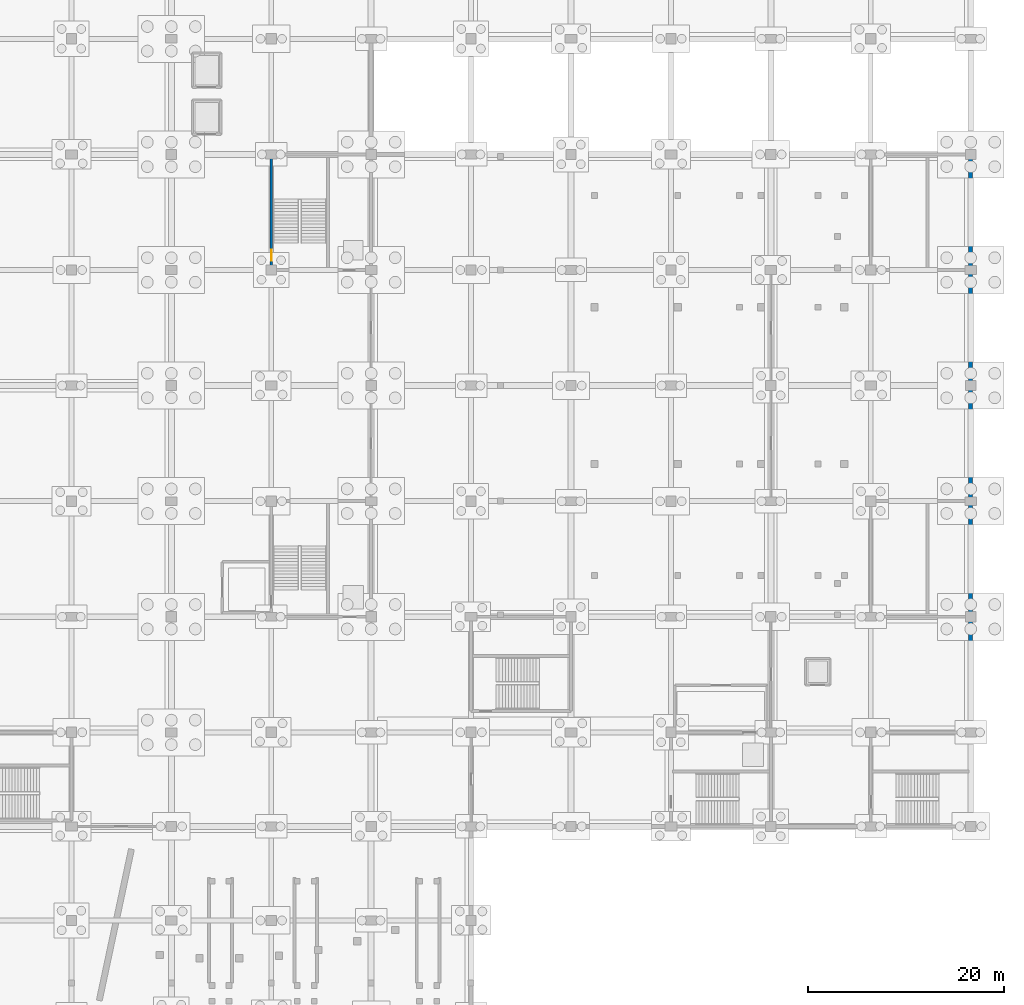
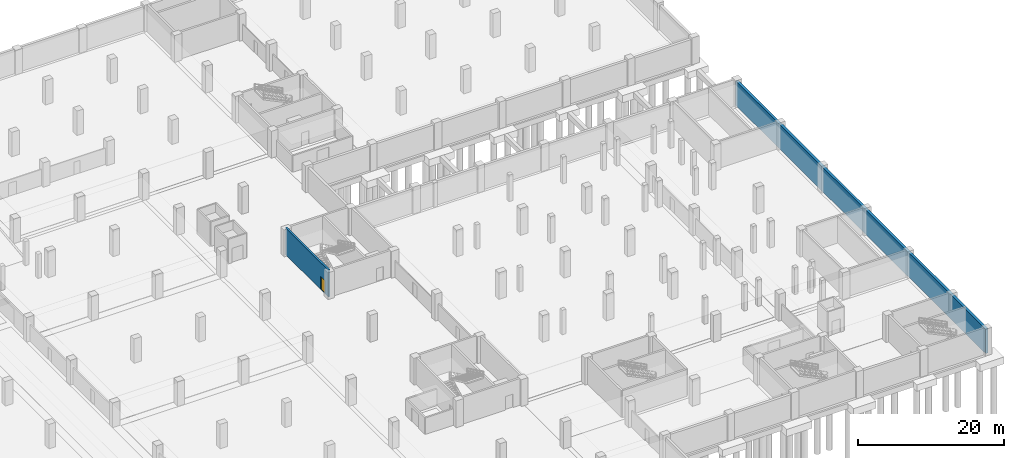
# One storey, part 37 of 52: 2 walls, 1 door, 1 opening.
"""IFC4 building model written with IfcOpenShell, lengths in metres."""

from ifc_helpers import new_model, si_unit, direction, frame, frame_2d, origin, place, context, subcontext, project, spatial, rectangle, extrude, material, layer, layer_set, type_object, element, fill, save


model = new_model("IFC4")

# Units and contexts
model_context = context("Model", 3, precision=1e-05, world=origin(), true_north=direction((0.0, 1.0)))
body_context = subcontext(model_context, "Body", "Model", "MODEL_VIEW")
ifc_project = project(units=[si_unit("LENGTHUNIT", "METRE"), si_unit("AREAUNIT", "SQUARE_METRE"), si_unit("VOLUMEUNIT", "CUBIC_METRE"), si_unit("PLANEANGLEUNIT", "RADIAN"), si_unit("MASSUNIT", "GRAM", prefix="KILO")], contexts=[model_context])

# Site, building, storey
site_placement = place(None, origin())
site = spatial("IfcSite", under=ifc_project, at=site_placement, CompositionType="ELEMENT")
building_placement = place(site_placement, origin())
building = spatial("IfcBuilding", under=site, at=building_placement, Name="Brelvane Convention Centre", CompositionType="ELEMENT")
storey_placement = place(building_placement, frame((0.0, 0.0, -4.5)))
storey = spatial("IfcBuildingStorey", under=building, at=storey_placement, Name="B1", CompositionType="ELEMENT", Elevation=-4.5)

# Wall, opening, door
ifc_material_1 = material(Name="Concrete M50", Category="concrete")
ifc_layer_1 = layer(ifc_material_1, 0.300048828125)
ifc_layer_set_1 = layer_set([ifc_layer_1], Name="Concrete M50")
wall_type_1 = type_object("IfcWallType", Name="Structural Wall WL-CORE-300", PredefinedType="SHEAR", material=ifc_layer_set_1)
wall_1_placement = place(storey_placement, frame((153.0, 76.0, 0.0), z_axis=(0.0, 0.0, 1.0), x_axis=(0.0, 1.0, 0.0)))
wall_1 = element("IfcWall", 1, at=wall_1_placement, inside=storey, type_object=wall_type_1, Name="Core C4 Shear Wall W (B1)", PredefinedType="SHEAR", context=body_context, shape_type="SweptSolid", body=[
    extrude(rectangle(XDim=11.800048828125, YDim=0.300048828125, at=frame_2d((5.89990234375, 0.0))), origin(), (0.0, 0.0, 1.0), 4.5),
])
opening_placement = place(wall_1_placement, frame((0.919921875, 0.0, 0.0)))
opening = element("IfcOpeningElement", 2, at=opening_placement, cuts=wall_1, Name="Opening DR-IN-04L", PredefinedType="OPENING", context=body_context, shape_type="SweptSolid", body=[
    extrude(rectangle(XDim=1.159912109375, YDim=2.199951171875, at=frame_2d((0.580078125, 1.10009765625))), frame((0.0, 0.159912109375, 0.0), z_axis=(0.0, -1.0, 0.0), x_axis=(1.0, 0.0, 0.0)), (0.0, 0.0, 1.0), 0.320068359375),
])
ifc_material_2 = material(Name="Galvanised Hollow-Metal Fire Door Steel E250", Category="steel")
door_type = type_object("IfcDoorType", Name="Interior Door DR-IN-04L", OperationType="NOTDEFINED", PredefinedType="DOOR", material=ifc_material_2)
door_placement = place(opening_placement, origin())
door = element("IfcDoor", 3, at=door_placement, inside=storey, type_object=door_type, Name="Stair ST-04 Door (B1)", OperationType="SINGLE_SWING_LEFT", OverallHeight=2.199951171875, OverallWidth=1.159912109375, PredefinedType="DOOR", context=body_context, shape_type="SweptSolid", body=[
    extrude(rectangle(XDim=1.159912109375, YDim=2.199951171875, at=frame_2d((0.580078125, 1.10009765625))), frame((0.0, 0.02490234375, 0.0), z_axis=(0.0, -1.0, 0.0), x_axis=(1.0, 0.0, 0.0)), (0.0, 0.0, 1.0), 0.050048828125),
])
fill(opening, door)

# Wall
ifc_material_3 = material(Name="Concrete M40", Category="concrete")
ifc_layer_2 = layer(ifc_material_3, 0.39990234375)
ifc_layer_set_2 = layer_set([ifc_layer_2], Name="Concrete M40")
wall_type_2 = type_object("IfcWallType", Name="Structural Wall WL-RET-400", PredefinedType="SOLIDWALL", material=ifc_layer_set_2)
wall_2_placement = place(storey_placement, frame((224.39990234375, 19.199951171875, 0.0), z_axis=(0.0, 0.0, 1.0), x_axis=(0.0, 1.0, 0.0)))
element("IfcWall", 4, at=wall_2_placement, inside=storey, type_object=wall_type_2, Name="Basement Retaining Wall E-SOUTH", PredefinedType="SOLIDWALL", context=body_context, shape_type="SweptSolid", body=[
    extrude(rectangle(XDim=68.60009765625, YDim=0.39990234375, at=frame_2d((34.300048828125, 0.0))), origin(), (0.0, 0.0, 1.0), 4.10009765625),
])

save(model, "model.ifc")
